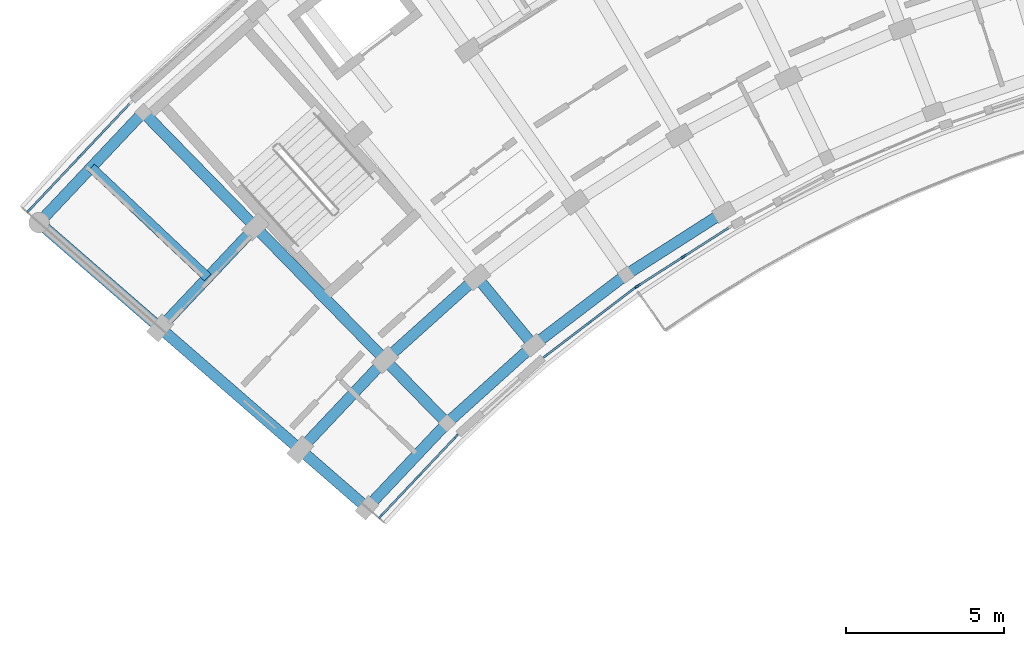
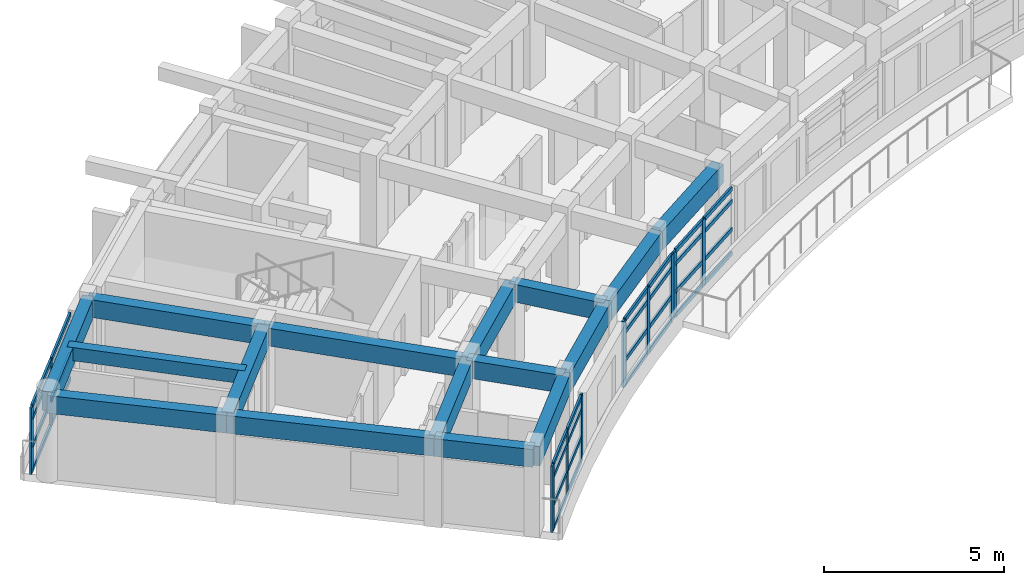
# One storey, part 3 of 54: 42 members, 16 beams, 4 elements without a shape of their own.
"""IFC4 building model written with IfcOpenShell, lengths in metres."""

from ifc_helpers import new_model, si_unit, direction, frame, origin, origin_2d, place, context, subcontext, project, spatial, rectangle, extrude, material, material_profile, profile_set, type_object, element, aggregate, save


model = new_model("IFC4")

# Units and contexts
model_context = context("Model", 3, precision=1e-05, world=origin(), true_north=direction((0.0, 1.0)))
body_context = subcontext(model_context, "Body", "Model", "MODEL_VIEW")
ifc_project = project(units=[si_unit("LENGTHUNIT", "METRE"), si_unit("AREAUNIT", "SQUARE_METRE"), si_unit("VOLUMEUNIT", "CUBIC_METRE"), si_unit("PLANEANGLEUNIT", "RADIAN"), si_unit("MASSUNIT", "GRAM", prefix="KILO")], contexts=[model_context])

# Site, building, storey
site_placement = place(None, origin())
site = spatial("IfcSite", under=ifc_project, at=site_placement, CompositionType="ELEMENT")
building_placement = place(site_placement, origin())
building = spatial("IfcBuilding", under=site, at=building_placement, Name="Zimvara Arc Housing Community", CompositionType="ELEMENT")
storey_placement = place(building_placement, frame((0.0, 0.0, 23.60009765625)))
storey = spatial("IfcBuildingStorey", under=building, at=storey_placement, Name="L07", CompositionType="ELEMENT", Elevation=23.60009765625)

# Beams
ifc_material_1 = material(Name="Concrete C40/50", Category="concrete")
ifc_material_profile_1 = material_profile(ifc_material_1, rectangle(XDim=0.300048828125, YDim=0.449951171875, at=origin_2d()), Name="RC 300x450")
ifc_profile_set_1 = profile_set([ifc_material_profile_1], Name="Concrete C40/50")
beam_type_1 = type_object("IfcBeamType", Name="BM-RC-300x450", PredefinedType="JOIST", material=ifc_profile_set_1)
beam_1_placement = place(storey_placement, frame((5.904296875, 81.3935546875, 2.635009765625), z_axis=(-0.727299876429, 0.686319815936, 0.0), x_axis=(-0.686319815936, -0.727299876429, 0.0)))
element("IfcBeam", 1, at=beam_1_placement, inside=storey, type_object=beam_type_1, Name="bm:blkA:L07:joist:b0", PredefinedType="JOIST", context=body_context, shape_type="SweptSolid", body=[
    extrude(rectangle(XDim=0.300048828125, YDim=0.449951171875, at=origin_2d()), origin(), (0.0, 0.0, 1.0), 5.075927734375),
])
ifc_material_2 = material(Name="Concrete C40/50", Category="concrete")
ifc_material_profile_2 = material_profile(ifc_material_2, rectangle(XDim=0.35009765625, YDim=0.60009765625, at=origin_2d()), Name="RC 350x600")
ifc_profile_set_2 = profile_set([ifc_material_profile_2], Name="Concrete C40/50")
beam_type_2 = type_object("IfcBeamType", Name="BM-RC-350x600", PredefinedType="BEAM", material=ifc_profile_set_2)
beam_2_placement = place(storey_placement, frame((10.947509765625, 74.101318359375, 2.559814453125), z_axis=(-0.754733151583, 0.656031912259, 0.0), x_axis=(-0.656031912259, -0.754733151583, 0.0)))
element("IfcBeam", 2, at=beam_2_placement, inside=storey, type_object=beam_type_2, Name="bm:blkA:L07:rad:b0:r01", PredefinedType="BEAM", context=body_context, shape_type="SweptSolid", body=[
    extrude(rectangle(XDim=0.35009765625, YDim=0.60009765625, at=origin_2d()), origin(), (0.0, 0.0, 1.0), 2.800048828125),
])
beam_3_placement = place(storey_placement, frame((8.834228515625, 75.938232421875, 2.559814453125), z_axis=(-0.754692223258, 0.656078995362, 0.0), x_axis=(-0.656078995362, -0.754692223258, 0.0)))
element("IfcBeam", 3, at=beam_3_placement, inside=storey, type_object=beam_type_2, Name="bm:blkA:L07:rad:b0:r12", PredefinedType="BEAM", context=body_context, shape_type="SweptSolid", body=[
    extrude(rectangle(XDim=0.35009765625, YDim=0.60009765625, at=origin_2d()), origin(), (0.0, 0.0, 1.0), 5.8798828125),
])
beam_4_placement = place(storey_placement, frame((4.396728515625, 79.7958984375, 2.559814453125), z_axis=(-0.754716217499, 0.656051393599, 0.0), x_axis=(-0.656051393599, -0.754716217499, 0.0)))
element("IfcBeam", 4, at=beam_4_placement, inside=storey, type_object=beam_type_2, Name="bm:blkA:L07:rad:b0:r23", PredefinedType="BEAM", context=body_context, shape_type="SweptSolid", body=[
    extrude(rectangle(XDim=0.35009765625, YDim=0.60009765625, at=origin_2d()), origin(), (0.0, 0.0, 1.0), 5.080078125),
])
beam_5_placement = place(storey_placement, frame((13.476318359375, 76.781005859375, 2.559814453125), z_axis=(-0.698643013894, 0.71547043205, 0.0), x_axis=(-0.71547043205, -0.698643013894, 0.0)))
element("IfcBeam", 5, at=beam_5_placement, inside=storey, type_object=beam_type_2, Name="bm:blkA:L07:rad:b1:r01", PredefinedType="BEAM", context=body_context, shape_type="SweptSolid", body=[
    extrude(rectangle(XDim=0.35009765625, YDim=0.60009765625, at=origin_2d()), origin(), (0.0, 0.0, 1.0), 2.800048828125),
])
beam_6_placement = place(storey_placement, frame((11.52001953125, 78.784423828125, 2.559814453125), z_axis=(-0.698669844288, 0.715444231707, 0.0), x_axis=(-0.715444231707, -0.698669844288, 0.0)))
element("IfcBeam", 6, at=beam_6_placement, inside=storey, type_object=beam_type_2, Name="bm:blkA:L07:rad:b1:r12", PredefinedType="BEAM", context=body_context, shape_type="SweptSolid", body=[
    extrude(rectangle(XDim=0.35009765625, YDim=0.60009765625, at=origin_2d()), origin(), (0.0, 0.0, 1.0), 5.8798828125),
])
beam_7_placement = place(storey_placement, frame((7.411865234375, 82.9912109375, 2.559814453125), z_axis=(-0.698670885014, 0.71544321538, 0.0), x_axis=(-0.71544321538, -0.698670885014, 0.0)))
element("IfcBeam", 7, at=beam_7_placement, inside=storey, type_object=beam_type_2, Name="bm:blkA:L07:rad:b1:r23", PredefinedType="BEAM", context=body_context, shape_type="SweptSolid", body=[
    extrude(rectangle(XDim=0.35009765625, YDim=0.60009765625, at=origin_2d()), origin(), (0.0, 0.0, 1.0), 5.080078125),
])
beam_8_placement = place(storey_placement, frame((16.215087890625, 79.245361328125, 2.559814453125), z_axis=(-0.637917412223, 0.770104781951, 0.0), x_axis=(-0.770104781951, -0.637917412223, 0.0)))
element("IfcBeam", 8, at=beam_8_placement, inside=storey, type_object=beam_type_2, Name="bm:blkA:L07:rad:b2:r01", PredefinedType="BEAM", context=body_context, shape_type="SweptSolid", body=[
    extrude(rectangle(XDim=0.35009765625, YDim=0.60009765625, at=origin_2d()), origin(), (0.0, 0.0, 1.0), 2.800048828125),
])
ifc_material_3 = material(Name="Concrete C40/50", Category="concrete")
ifc_material_profile_3 = material_profile(ifc_material_3, rectangle(XDim=0.35009765625, YDim=0.64990234375, at=origin_2d()), Name="RC 350x650")
ifc_profile_set_3 = profile_set([ifc_material_profile_3], Name="Concrete C40/50")
beam_type_3 = type_object("IfcBeamType", Name="BM-RC-350x650", PredefinedType="BEAM", material=ifc_profile_set_3)
beam_9_placement = place(storey_placement, frame((10.947509765625, 74.101318359375, 2.534912109375), z_axis=(0.686335517678, 0.727285059088, 0.0), x_axis=(-0.727285059088, 0.686335517678, 0.0)))
element("IfcBeam", 9, at=beam_9_placement, inside=storey, type_object=beam_type_3, Name="bm:blkA:L07:chord:r0:b0", PredefinedType="BEAM", context=body_context, shape_type="SweptSolid", body=[
    extrude(rectangle(XDim=0.35009765625, YDim=0.64990234375, at=origin_2d()), origin(), (0.0, 0.0, 1.0), 3.6845703125),
])
beam_10_placement = place(storey_placement, frame((13.476318359375, 76.781005859375, 2.534912109375), z_axis=(0.743366631239, 0.668884183966, 0.0), x_axis=(-0.668884183966, 0.743366631239, 0.0)))
element("IfcBeam", 10, at=beam_10_placement, inside=storey, type_object=beam_type_3, Name="bm:blkA:L07:chord:r0:b1", PredefinedType="BEAM", context=body_context, shape_type="SweptSolid", body=[
    extrude(rectangle(XDim=0.35009765625, YDim=0.64990234375, at=origin_2d()), origin(), (0.0, 0.0, 1.0), 3.684326171875),
])
beam_11_placement = place(storey_placement, frame((16.215087890625, 79.245361328125, 2.534912109375), z_axis=(0.795453014049, 0.606015265847, 0.0), x_axis=(-0.606015265847, 0.795453014049, 0.0)))
element("IfcBeam", 11, at=beam_11_placement, inside=storey, type_object=beam_type_3, Name="bm:blkA:L07:chord:r0:b2", PredefinedType="BEAM", context=body_context, shape_type="SweptSolid", body=[
    extrude(rectangle(XDim=0.35009765625, YDim=0.64990234375, at=origin_2d()), origin(), (0.0, 0.0, 1.0), 3.6845703125),
])
beam_12_placement = place(storey_placement, frame((19.14599609375, 81.478271484375, 2.534912109375), z_axis=(0.842272604079, 0.539051816079, 0.0), x_axis=(-0.539051816079, 0.842272604079, 0.0)))
element("IfcBeam", 12, at=beam_12_placement, inside=storey, type_object=beam_type_3, Name="bm:blkA:L07:chord:r0:b3", PredefinedType="BEAM", context=body_context, shape_type="SweptSolid", body=[
    extrude(rectangle(XDim=0.35009765625, YDim=0.64990234375, at=origin_2d()), origin(), (0.0, 0.0, 1.0), 3.684326171875),
])
beam_13_placement = place(storey_placement, frame((8.834228515625, 75.938232421875, 2.534912109375), z_axis=(0.686315710793, 0.727303750243, 0.0), x_axis=(-0.727303750243, 0.686315710793, 0.0)))
element("IfcBeam", 13, at=beam_13_placement, inside=storey, type_object=beam_type_3, Name="bm:blkA:L07:chord:r1:b0", PredefinedType="BEAM", context=body_context, shape_type="SweptSolid", body=[
    extrude(rectangle(XDim=0.35009765625, YDim=0.64990234375, at=origin_2d()), origin(), (0.0, 0.0, 1.0), 3.913330078125),
])
beam_14_placement = place(storey_placement, frame((11.52001953125, 78.784423828125, 2.534912109375), z_axis=(0.743402719516, 0.668844074965, 0.0), x_axis=(-0.668844074965, 0.743402719516, 0.0)))
element("IfcBeam", 14, at=beam_14_placement, inside=storey, type_object=beam_type_3, Name="bm:blkA:L07:chord:r1:b1", PredefinedType="BEAM", context=body_context, shape_type="SweptSolid", body=[
    extrude(rectangle(XDim=0.35009765625, YDim=0.64990234375, at=origin_2d()), origin(), (0.0, 0.0, 1.0), 3.9130859375),
])
beam_15_placement = place(storey_placement, frame((4.396728515625, 79.7958984375, 2.534912109375), z_axis=(0.686303637813, 0.727315142648, 0.0), x_axis=(-0.727315142648, 0.686303637813, 0.0)))
element("IfcBeam", 15, at=beam_15_placement, inside=storey, type_object=beam_type_3, Name="bm:blkA:L07:chord:r2:b0", PredefinedType="BEAM", context=body_context, shape_type="SweptSolid", body=[
    extrude(rectangle(XDim=0.35009765625, YDim=0.64990234375, at=origin_2d()), origin(), (0.0, 0.0, 1.0), 4.393310546875),
])
beam_16_placement = place(storey_placement, frame((0.562744140625, 83.128662109375, 2.534912109375), z_axis=(0.6862954451, 0.727322873307, 0.0), x_axis=(-0.727322873307, 0.6862954451, 0.0)))
element("IfcBeam", 16, at=beam_16_placement, inside=storey, type_object=beam_type_3, Name="bm:blkA:L07:chord:r3:b0", PredefinedType="BEAM", context=body_context, shape_type="SweptSolid", body=[
    extrude(rectangle(XDim=0.35009765625, YDim=0.64990234375, at=origin_2d()), origin(), (0.0, 0.0, 1.0), 4.80810546875),
])

# Curtain wall, members
ifc_material_4 = material(Name="Anodised Aluminium AW-6063", Category="aluminium")
curtain_wall_type_1 = type_object("IfcCurtainWallType", Name="CW-SYS-08", PredefinedType="USERDEFINED", material=ifc_material_4)
curtain_wall_1_placement = place(storey_placement, origin())
curtain_wall_1 = element("IfcCurtainWall", 17, at=curtain_wall_1_placement, inside=storey, type_object=curtain_wall_type_1, Name="cw:blkA:L07:in:b0", ObjectType="CURTAIN WALL", PredefinedType="USERDEFINED")
ifc_material_5 = material(Name="Anodised Aluminium AW-6063", Category="aluminium")
ifc_material_profile_4 = material_profile(ifc_material_5, rectangle(XDim=0.06494140625, YDim=0.179931640625, at=origin_2d()), Name="ALU 65x180")
ifc_profile_set_4 = profile_set([ifc_material_profile_4], Name="Anodised Aluminium AW-6063")
member_type_1 = type_object("IfcMemberType", Name="CWM-65x150", PredefinedType="MULLION", material=ifc_profile_set_4)
member_1_placement = place(storey_placement, frame((11.388427734375, 73.840576171875, 0.0), z_axis=(0.0, 0.0, 1.0), x_axis=(-0.727293280483, 0.686326805658, 0.0)))
member_1 = element("IfcMember", 18, at=member_1_placement, type_object=member_type_1, Name="CW08 mullion 1", PredefinedType="MULLION", context=body_context, shape_type="SweptSolid", body=[
    extrude(rectangle(XDim=0.06494140625, YDim=0.179931640625, at=origin_2d()), origin(), (0.0, 0.0, 1.0), 2.25),
])
member_2_placement = place(storey_placement, frame((12.5751953125, 75.098388671875, 0.0), z_axis=(0.0, 0.0, 1.0), x_axis=(-0.727293280483, 0.686326805658, 0.0)))
member_2 = element("IfcMember", 19, at=member_2_placement, type_object=member_type_1, Name="CW08 mullion 2", PredefinedType="MULLION", context=body_context, shape_type="SweptSolid", body=[
    extrude(rectangle(XDim=0.06494140625, YDim=0.179931640625, at=origin_2d()), origin(), (0.0, 0.0, 1.0), 2.25),
])
member_3_placement = place(storey_placement, frame((13.761962890625, 76.35595703125, 0.0), z_axis=(0.0, 0.0, 1.0), x_axis=(-0.727293280483, 0.686326805658, 0.0)))
member_3 = element("IfcMember", 20, at=member_3_placement, type_object=member_type_1, Name="CW08 mullion 3", PredefinedType="MULLION", context=body_context, shape_type="SweptSolid", body=[
    extrude(rectangle(XDim=0.06494140625, YDim=0.179931640625, at=origin_2d()), origin(), (0.0, 0.0, 1.0), 2.25),
])

ifc_material_6 = material(Name="Anodised Aluminium AW-6063", Category="aluminium")
curtain_wall_type_2 = type_object("IfcCurtainWallType", Name="CW-SYS-02", PredefinedType="USERDEFINED", material=ifc_material_6)
curtain_wall_2_placement = place(storey_placement, origin())
curtain_wall_2 = element("IfcCurtainWall", 21, at=curtain_wall_2_placement, inside=storey, type_object=curtain_wall_type_2, Name="cw:blkA:L07:in:b2", ObjectType="CURTAIN WALL", PredefinedType="USERDEFINED")
member_4_placement = place(storey_placement, frame((16.607666015625, 78.91650390625, 0.0), z_axis=(0.0, 0.0, 1.0), x_axis=(-0.605988318533, 0.795473543119, 0.0)))
member_4 = element("IfcMember", 22, at=member_4_placement, type_object=member_type_1, Name="CW02 mullion 1", PredefinedType="MULLION", context=body_context, shape_type="SweptSolid", body=[
    extrude(rectangle(XDim=0.06494140625, YDim=0.179931640625, at=origin_2d()), origin(), (0.0, 0.0, 1.0), 2.25),
])
member_5_placement = place(storey_placement, frame((17.9833984375, 79.96435546875, 0.0), z_axis=(0.0, 0.0, 1.0), x_axis=(-0.605988318533, 0.795473543119, 0.0)))
member_5 = element("IfcMember", 23, at=member_5_placement, type_object=member_type_1, Name="CW02 mullion 2", PredefinedType="MULLION", context=body_context, shape_type="SweptSolid", body=[
    extrude(rectangle(XDim=0.06494140625, YDim=0.179931640625, at=origin_2d()), origin(), (0.0, 0.0, 1.0), 2.25),
])
member_6_placement = place(storey_placement, frame((19.35888671875, 81.012451171875, 0.0), z_axis=(0.0, 0.0, 1.0), x_axis=(-0.605988318533, 0.795473543119, 0.0)))
member_6 = element("IfcMember", 24, at=member_6_placement, type_object=member_type_1, Name="CW02 mullion 3", PredefinedType="MULLION", context=body_context, shape_type="SweptSolid", body=[
    extrude(rectangle(XDim=0.06494140625, YDim=0.179931640625, at=origin_2d()), origin(), (0.0, 0.0, 1.0), 2.25),
])

ifc_material_7 = material(Name="Anodised Aluminium AW-6063", Category="aluminium")
curtain_wall_type_3 = type_object("IfcCurtainWallType", Name="CW-SYS-04", PredefinedType="USERDEFINED", material=ifc_material_7)
curtain_wall_3_placement = place(storey_placement, origin())
curtain_wall_3 = element("IfcCurtainWall", 25, at=curtain_wall_3_placement, inside=storey, type_object=curtain_wall_type_3, Name="cw:blkA:L07:in:b3", ObjectType="CURTAIN WALL", PredefinedType="USERDEFINED")
member_7_placement = place(storey_placement, frame((19.510498046875, 81.118408203125, 0.0), z_axis=(0.0, 0.0, 1.0), x_axis=(-0.539064085203, 0.842264751752, 0.0)))
member_7 = element("IfcMember", 26, at=member_7_placement, type_object=member_type_1, Name="CW04 mullion 1", PredefinedType="MULLION", context=body_context, shape_type="SweptSolid", body=[
    extrude(rectangle(XDim=0.06494140625, YDim=0.179931640625, at=origin_2d()), origin(), (0.0, 0.0, 1.0), 2.25),
])
member_8_placement = place(storey_placement, frame((20.967041015625, 82.050537109375, 0.0), z_axis=(0.0, 0.0, 1.0), x_axis=(-0.539064085203, 0.842264751752, 0.0)))
member_8 = element("IfcMember", 27, at=member_8_placement, type_object=member_type_1, Name="CW04 mullion 2", PredefinedType="MULLION", context=body_context, shape_type="SweptSolid", body=[
    extrude(rectangle(XDim=0.06494140625, YDim=0.179931640625, at=origin_2d()), origin(), (0.0, 0.0, 1.0), 2.25),
])

ifc_material_8 = material(Name="Anodised Aluminium AW-6063", Category="aluminium")
curtain_wall_type_4 = type_object("IfcCurtainWallType", Name="CW-SYS-07", PredefinedType="USERDEFINED", material=ifc_material_8)
curtain_wall_4_placement = place(storey_placement, origin())
curtain_wall_4 = element("IfcCurtainWall", 28, at=curtain_wall_4_placement, inside=storey, type_object=curtain_wall_type_4, Name="cw:blkA:L07:out:b0", ObjectType="CURTAIN WALL", PredefinedType="USERDEFINED")
ifc_material_9 = material(Name="Anodised Aluminium AW-6063", Category="aluminium")
ifc_material_profile_5 = material_profile(ifc_material_9, rectangle(XDim=0.06494140625, YDim=0.195068359375, at=origin_2d()), Name="ALU 65x195")
ifc_profile_set_5 = profile_set([ifc_material_profile_5], Name="Anodised Aluminium AW-6063")
member_type_2 = type_object("IfcMemberType", Name="CWM-65x180", PredefinedType="MULLION", material=ifc_profile_set_5)
member_9_placement = place(storey_placement, frame((0.248779296875, 83.524169921875, 0.0), z_axis=(0.0, 0.0, 1.0), x_axis=(-0.727293647725, 0.686326416495, 0.0)))
member_9 = element("IfcMember", 29, at=member_9_placement, type_object=member_type_2, Name="CW07 mullion 1", PredefinedType="MULLION", context=body_context, shape_type="SweptSolid", body=[
    extrude(rectangle(XDim=0.06494140625, YDim=0.195068359375, at=origin_2d()), origin(), (0.0, 0.0, 1.0), 2.25),
])
member_10_placement = place(storey_placement, frame((1.849365234375, 85.219970703125, 0.0), z_axis=(0.0, 0.0, 1.0), x_axis=(-0.727293647725, 0.686326416495, 0.0)))
member_10 = element("IfcMember", 30, at=member_10_placement, type_object=member_type_2, Name="CW07 mullion 2", PredefinedType="MULLION", context=body_context, shape_type="SweptSolid", body=[
    extrude(rectangle(XDim=0.06494140625, YDim=0.195068359375, at=origin_2d()), origin(), (0.0, 0.0, 1.0), 2.25),
])

# Member
ifc_material_10 = material(Name="Anodised Aluminium AW-6063", Category="aluminium")
ifc_material_profile_6 = material_profile(ifc_material_10, rectangle(XDim=0.06494140625, YDim=0.139892578125, at=origin_2d()), Name="ALU 65x140")
ifc_profile_set_6 = profile_set([ifc_material_profile_6], Name="Anodised Aluminium AW-6063")
member_type_3 = type_object("IfcMemberType", Name="CWT-65x120", PredefinedType="USERDEFINED", material=ifc_profile_set_6)
member_11_placement = place(storey_placement, frame((11.41064453125, 73.8642578125, 0.032470703125), z_axis=(0.686347817597, 0.727273451516, 0.0), x_axis=(-0.727273451516, 0.686347817597, 0.0)))
member_11 = element("IfcMember", 31, at=member_11_placement, type_object=member_type_3, Name="CW08 transom 1.1", ObjectType="TRANSOM", PredefinedType="USERDEFINED", context=body_context, shape_type="SweptSolid", body=[
    extrude(rectangle(XDim=0.06494140625, YDim=0.139892578125, at=origin_2d()), origin(), (0.0, 0.0, 1.0), 1.664306640625),
])

member_12_placement = place(storey_placement, frame((11.41064453125, 73.8642578125, 0.849853515625), z_axis=(0.686347817597, 0.727273451516, 0.0), x_axis=(-0.727273451516, 0.686347817597, 0.0)))
member_12 = element("IfcMember", 32, at=member_12_placement, type_object=member_type_3, Name="CW08 transom 1.2", ObjectType="TRANSOM", PredefinedType="USERDEFINED", context=body_context, shape_type="SweptSolid", body=[
    extrude(rectangle(XDim=0.06494140625, YDim=0.139892578125, at=origin_2d()), origin(), (0.0, 0.0, 1.0), 1.664306640625),
])

member_13_placement = place(storey_placement, frame((11.41064453125, 73.8642578125, 1.7998046875), z_axis=(0.686347817597, 0.727273451516, 0.0), x_axis=(-0.727273451516, 0.686347817597, 0.0)))
member_13 = element("IfcMember", 33, at=member_13_placement, type_object=member_type_3, Name="CW08 transom 1.3", ObjectType="TRANSOM", PredefinedType="USERDEFINED", context=body_context, shape_type="SweptSolid", body=[
    extrude(rectangle(XDim=0.06494140625, YDim=0.139892578125, at=origin_2d()), origin(), (0.0, 0.0, 1.0), 1.664306640625),
])

member_14_placement = place(storey_placement, frame((11.41064453125, 73.8642578125, 2.21728515625), z_axis=(0.686347817597, 0.727273451516, 0.0), x_axis=(-0.727273451516, 0.686347817597, 0.0)))
member_14 = element("IfcMember", 34, at=member_14_placement, type_object=member_type_3, Name="CW08 transom 1.4", ObjectType="TRANSOM", PredefinedType="USERDEFINED", context=body_context, shape_type="SweptSolid", body=[
    extrude(rectangle(XDim=0.06494140625, YDim=0.139892578125, at=origin_2d()), origin(), (0.0, 0.0, 1.0), 1.664306640625),
])

member_15_placement = place(storey_placement, frame((12.597412109375, 75.1220703125, 0.032470703125), z_axis=(0.686347817597, 0.727273451516, 0.0), x_axis=(-0.727273451516, 0.686347817597, 0.0)))
member_15 = element("IfcMember", 35, at=member_15_placement, type_object=member_type_3, Name="CW08 transom 2.1", ObjectType="TRANSOM", PredefinedType="USERDEFINED", context=body_context, shape_type="SweptSolid", body=[
    extrude(rectangle(XDim=0.06494140625, YDim=0.139892578125, at=origin_2d()), origin(), (0.0, 0.0, 1.0), 1.664306640625),
])

member_16_placement = place(storey_placement, frame((12.597412109375, 75.1220703125, 0.849853515625), z_axis=(0.686347817597, 0.727273451516, 0.0), x_axis=(-0.727273451516, 0.686347817597, 0.0)))
member_16 = element("IfcMember", 36, at=member_16_placement, type_object=member_type_3, Name="CW08 transom 2.2", ObjectType="TRANSOM", PredefinedType="USERDEFINED", context=body_context, shape_type="SweptSolid", body=[
    extrude(rectangle(XDim=0.06494140625, YDim=0.139892578125, at=origin_2d()), origin(), (0.0, 0.0, 1.0), 1.664306640625),
])

member_17_placement = place(storey_placement, frame((12.597412109375, 75.1220703125, 1.7998046875), z_axis=(0.686347817597, 0.727273451516, 0.0), x_axis=(-0.727273451516, 0.686347817597, 0.0)))
member_17 = element("IfcMember", 37, at=member_17_placement, type_object=member_type_3, Name="CW08 transom 2.3", ObjectType="TRANSOM", PredefinedType="USERDEFINED", context=body_context, shape_type="SweptSolid", body=[
    extrude(rectangle(XDim=0.06494140625, YDim=0.139892578125, at=origin_2d()), origin(), (0.0, 0.0, 1.0), 1.664306640625),
])

member_18_placement = place(storey_placement, frame((12.597412109375, 75.1220703125, 2.21728515625), z_axis=(0.686347817597, 0.727273451516, 0.0), x_axis=(-0.727273451516, 0.686347817597, 0.0)))
member_18 = element("IfcMember", 38, at=member_18_placement, type_object=member_type_3, Name="CW08 transom 2.4", ObjectType="TRANSOM", PredefinedType="USERDEFINED", context=body_context, shape_type="SweptSolid", body=[
    extrude(rectangle(XDim=0.06494140625, YDim=0.139892578125, at=origin_2d()), origin(), (0.0, 0.0, 1.0), 1.664306640625),
])

aggregate(curtain_wall_1, [member_1, member_2, member_3, member_11, member_12, member_13, member_14, member_15, member_16, member_17, member_18])

member_19_placement = place(storey_placement, frame((16.633544921875, 78.936279296875, 0.032470703125), z_axis=(0.795488960577, 0.605968079687, 0.0), x_axis=(-0.605968079687, 0.795488960577, 0.0)))
member_19 = element("IfcMember", 39, at=member_19_placement, type_object=member_type_3, Name="CW02 transom 1.1", ObjectType="TRANSOM", PredefinedType="USERDEFINED", context=body_context, shape_type="SweptSolid", body=[
    extrude(rectangle(XDim=0.06494140625, YDim=0.139892578125, at=origin_2d()), origin(), (0.0, 0.0, 1.0), 1.664306640625),
])

member_20_placement = place(storey_placement, frame((16.633544921875, 78.936279296875, 0.849853515625), z_axis=(0.795488960577, 0.605968079687, 0.0), x_axis=(-0.605968079687, 0.795488960577, 0.0)))
member_20 = element("IfcMember", 40, at=member_20_placement, type_object=member_type_3, Name="CW02 transom 1.2", ObjectType="TRANSOM", PredefinedType="USERDEFINED", context=body_context, shape_type="SweptSolid", body=[
    extrude(rectangle(XDim=0.06494140625, YDim=0.139892578125, at=origin_2d()), origin(), (0.0, 0.0, 1.0), 1.664306640625),
])

member_21_placement = place(storey_placement, frame((16.633544921875, 78.936279296875, 1.7998046875), z_axis=(0.795488960577, 0.605968079687, 0.0), x_axis=(-0.605968079687, 0.795488960577, 0.0)))
member_21 = element("IfcMember", 41, at=member_21_placement, type_object=member_type_3, Name="CW02 transom 1.3", ObjectType="TRANSOM", PredefinedType="USERDEFINED", context=body_context, shape_type="SweptSolid", body=[
    extrude(rectangle(XDim=0.06494140625, YDim=0.139892578125, at=origin_2d()), origin(), (0.0, 0.0, 1.0), 1.664306640625),
])

member_22_placement = place(storey_placement, frame((16.633544921875, 78.936279296875, 2.21728515625), z_axis=(0.795488960577, 0.605968079687, 0.0), x_axis=(-0.605968079687, 0.795488960577, 0.0)))
member_22 = element("IfcMember", 42, at=member_22_placement, type_object=member_type_3, Name="CW02 transom 1.4", ObjectType="TRANSOM", PredefinedType="USERDEFINED", context=body_context, shape_type="SweptSolid", body=[
    extrude(rectangle(XDim=0.06494140625, YDim=0.139892578125, at=origin_2d()), origin(), (0.0, 0.0, 1.0), 1.664306640625),
])

member_23_placement = place(storey_placement, frame((18.00927734375, 79.984130859375, 0.032470703125), z_axis=(0.795435087713, 0.606038795157, 0.0), x_axis=(-0.606038795157, 0.795435087713, 0.0)))
member_23 = element("IfcMember", 43, at=member_23_placement, type_object=member_type_3, Name="CW02 transom 2.1", ObjectType="TRANSOM", PredefinedType="USERDEFINED", context=body_context, shape_type="SweptSolid", body=[
    extrude(rectangle(XDim=0.06494140625, YDim=0.139892578125, at=origin_2d()), origin(), (0.0, 0.0, 1.0), 1.6640625),
])

member_24_placement = place(storey_placement, frame((18.00927734375, 79.984130859375, 0.849853515625), z_axis=(0.795435087713, 0.606038795157, 0.0), x_axis=(-0.606038795157, 0.795435087713, 0.0)))
member_24 = element("IfcMember", 44, at=member_24_placement, type_object=member_type_3, Name="CW02 transom 2.2", ObjectType="TRANSOM", PredefinedType="USERDEFINED", context=body_context, shape_type="SweptSolid", body=[
    extrude(rectangle(XDim=0.06494140625, YDim=0.139892578125, at=origin_2d()), origin(), (0.0, 0.0, 1.0), 1.6640625),
])

member_25_placement = place(storey_placement, frame((18.00927734375, 79.984130859375, 1.7998046875), z_axis=(0.795435087713, 0.606038795157, 0.0), x_axis=(-0.606038795157, 0.795435087713, 0.0)))
member_25 = element("IfcMember", 45, at=member_25_placement, type_object=member_type_3, Name="CW02 transom 2.3", ObjectType="TRANSOM", PredefinedType="USERDEFINED", context=body_context, shape_type="SweptSolid", body=[
    extrude(rectangle(XDim=0.06494140625, YDim=0.139892578125, at=origin_2d()), origin(), (0.0, 0.0, 1.0), 1.6640625),
])

member_26_placement = place(storey_placement, frame((18.00927734375, 79.984130859375, 2.21728515625), z_axis=(0.795435087713, 0.606038795157, 0.0), x_axis=(-0.606038795157, 0.795435087713, 0.0)))
member_26 = element("IfcMember", 46, at=member_26_placement, type_object=member_type_3, Name="CW02 transom 2.4", ObjectType="TRANSOM", PredefinedType="USERDEFINED", context=body_context, shape_type="SweptSolid", body=[
    extrude(rectangle(XDim=0.06494140625, YDim=0.139892578125, at=origin_2d()), origin(), (0.0, 0.0, 1.0), 1.6640625),
])

aggregate(curtain_wall_2, [member_4, member_5, member_6, member_19, member_20, member_21, member_22, member_23, member_24, member_25, member_26])

member_27_placement = place(storey_placement, frame((19.537841796875, 81.1357421875, 0.032470703125), z_axis=(0.842263408668, 0.539066183709, 0.0), x_axis=(-0.539066183709, 0.842263408668, 0.0)))
member_27 = element("IfcMember", 47, at=member_27_placement, type_object=member_type_3, Name="CW04 transom 1.1", ObjectType="TRANSOM", PredefinedType="USERDEFINED", context=body_context, shape_type="SweptSolid", body=[
    extrude(rectangle(XDim=0.06494140625, YDim=0.139892578125, at=origin_2d()), origin(), (0.0, 0.0, 1.0), 1.664306640625),
])

member_28_placement = place(storey_placement, frame((19.537841796875, 81.1357421875, 0.849853515625), z_axis=(0.842263408668, 0.539066183709, 0.0), x_axis=(-0.539066183709, 0.842263408668, 0.0)))
member_28 = element("IfcMember", 48, at=member_28_placement, type_object=member_type_3, Name="CW04 transom 1.2", ObjectType="TRANSOM", PredefinedType="USERDEFINED", context=body_context, shape_type="SweptSolid", body=[
    extrude(rectangle(XDim=0.06494140625, YDim=0.139892578125, at=origin_2d()), origin(), (0.0, 0.0, 1.0), 1.664306640625),
])

member_29_placement = place(storey_placement, frame((19.537841796875, 81.1357421875, 1.7998046875), z_axis=(0.842263408668, 0.539066183709, 0.0), x_axis=(-0.539066183709, 0.842263408668, 0.0)))
member_29 = element("IfcMember", 49, at=member_29_placement, type_object=member_type_3, Name="CW04 transom 1.3", ObjectType="TRANSOM", PredefinedType="USERDEFINED", context=body_context, shape_type="SweptSolid", body=[
    extrude(rectangle(XDim=0.06494140625, YDim=0.139892578125, at=origin_2d()), origin(), (0.0, 0.0, 1.0), 1.664306640625),
])

member_30_placement = place(storey_placement, frame((19.537841796875, 81.1357421875, 2.21728515625), z_axis=(0.842263408668, 0.539066183709, 0.0), x_axis=(-0.539066183709, 0.842263408668, 0.0)))
member_30 = element("IfcMember", 50, at=member_30_placement, type_object=member_type_3, Name="CW04 transom 1.4", ObjectType="TRANSOM", PredefinedType="USERDEFINED", context=body_context, shape_type="SweptSolid", body=[
    extrude(rectangle(XDim=0.06494140625, YDim=0.139892578125, at=origin_2d()), origin(), (0.0, 0.0, 1.0), 1.664306640625),
])

member_31_placement = place(storey_placement, frame((20.994384765625, 82.068115234375, 0.032470703125), z_axis=(0.842330007588, 0.538962112135, 0.0), x_axis=(-0.538962112135, 0.842330007588, 0.0)))
member_31 = element("IfcMember", 51, at=member_31_placement, type_object=member_type_3, Name="CW04 transom 2.1", ObjectType="TRANSOM", PredefinedType="USERDEFINED", context=body_context, shape_type="SweptSolid", body=[
    extrude(rectangle(XDim=0.06494140625, YDim=0.139892578125, at=origin_2d()), origin(), (0.0, 0.0, 1.0), 1.664306640625),
])

member_32_placement = place(storey_placement, frame((20.994384765625, 82.068115234375, 0.849853515625), z_axis=(0.842330007588, 0.538962112135, 0.0), x_axis=(-0.538962112135, 0.842330007588, 0.0)))
member_32 = element("IfcMember", 52, at=member_32_placement, type_object=member_type_3, Name="CW04 transom 2.2", ObjectType="TRANSOM", PredefinedType="USERDEFINED", context=body_context, shape_type="SweptSolid", body=[
    extrude(rectangle(XDim=0.06494140625, YDim=0.139892578125, at=origin_2d()), origin(), (0.0, 0.0, 1.0), 1.664306640625),
])

member_33_placement = place(storey_placement, frame((20.994384765625, 82.068115234375, 1.7998046875), z_axis=(0.842330007588, 0.538962112135, 0.0), x_axis=(-0.538962112135, 0.842330007588, 0.0)))
member_33 = element("IfcMember", 53, at=member_33_placement, type_object=member_type_3, Name="CW04 transom 2.3", ObjectType="TRANSOM", PredefinedType="USERDEFINED", context=body_context, shape_type="SweptSolid", body=[
    extrude(rectangle(XDim=0.06494140625, YDim=0.139892578125, at=origin_2d()), origin(), (0.0, 0.0, 1.0), 1.664306640625),
])

member_34_placement = place(storey_placement, frame((20.994384765625, 82.068115234375, 2.21728515625), z_axis=(0.842330007588, 0.538962112135, 0.0), x_axis=(-0.538962112135, 0.842330007588, 0.0)))
member_34 = element("IfcMember", 54, at=member_34_placement, type_object=member_type_3, Name="CW04 transom 2.4", ObjectType="TRANSOM", PredefinedType="USERDEFINED", context=body_context, shape_type="SweptSolid", body=[
    extrude(rectangle(XDim=0.06494140625, YDim=0.139892578125, at=origin_2d()), origin(), (0.0, 0.0, 1.0), 1.664306640625),
])

aggregate(curtain_wall_3, [member_7, member_8, member_27, member_28, member_29, member_30, member_31, member_32, member_33, member_34])

ifc_material_11 = material(Name="Anodised Aluminium AW-6063", Category="aluminium")
ifc_material_profile_7 = material_profile(ifc_material_11, rectangle(XDim=0.06494140625, YDim=0.155029296875, at=origin_2d()), Name="ALU 65x155")
ifc_profile_set_7 = profile_set([ifc_material_profile_7], Name="Anodised Aluminium AW-6063")
member_type_4 = type_object("IfcMemberType", Name="CWT-65x140", PredefinedType="USERDEFINED", material=ifc_profile_set_7)
member_35_placement = place(storey_placement, frame((0.271240234375, 83.547607421875, 0.032470703125), z_axis=(0.68623762882, 0.727377423894, 0.0), x_axis=(-0.727377423894, 0.68623762882, 0.0)))
member_35 = element("IfcMember", 55, at=member_35_placement, type_object=member_type_4, Name="CW07 transom 1.1", ObjectType="TRANSOM", PredefinedType="USERDEFINED", context=body_context, shape_type="SweptSolid", body=[
    extrude(rectangle(XDim=0.06494140625, YDim=0.155029296875, at=origin_2d()), origin(), (0.0, 0.0, 1.0), 2.266845703125),
])

member_36_placement = place(storey_placement, frame((0.271240234375, 83.547607421875, 0.849853515625), z_axis=(0.68623762882, 0.727377423894, 0.0), x_axis=(-0.727377423894, 0.68623762882, 0.0)))
member_36 = element("IfcMember", 56, at=member_36_placement, type_object=member_type_4, Name="CW07 transom 1.2", ObjectType="TRANSOM", PredefinedType="USERDEFINED", context=body_context, shape_type="SweptSolid", body=[
    extrude(rectangle(XDim=0.06494140625, YDim=0.155029296875, at=origin_2d()), origin(), (0.0, 0.0, 1.0), 2.266845703125),
])

member_37_placement = place(storey_placement, frame((0.271240234375, 83.547607421875, 1.7998046875), z_axis=(0.68623762882, 0.727377423894, 0.0), x_axis=(-0.727377423894, 0.68623762882, 0.0)))
member_37 = element("IfcMember", 57, at=member_37_placement, type_object=member_type_4, Name="CW07 transom 1.3", ObjectType="TRANSOM", PredefinedType="USERDEFINED", context=body_context, shape_type="SweptSolid", body=[
    extrude(rectangle(XDim=0.06494140625, YDim=0.155029296875, at=origin_2d()), origin(), (0.0, 0.0, 1.0), 2.266845703125),
])

member_38_placement = place(storey_placement, frame((0.271240234375, 83.547607421875, 2.21728515625), z_axis=(0.68623762882, 0.727377423894, 0.0), x_axis=(-0.727377423894, 0.68623762882, 0.0)))
member_38 = element("IfcMember", 58, at=member_38_placement, type_object=member_type_4, Name="CW07 transom 1.4", ObjectType="TRANSOM", PredefinedType="USERDEFINED", context=body_context, shape_type="SweptSolid", body=[
    extrude(rectangle(XDim=0.06494140625, YDim=0.155029296875, at=origin_2d()), origin(), (0.0, 0.0, 1.0), 2.266845703125),
])

member_39_placement = place(storey_placement, frame((1.87158203125, 85.24365234375, 0.032470703125), z_axis=(0.686348357589, 0.727272941911, 0.0), x_axis=(-0.727272941911, 0.686348357589, 0.0)))
member_39 = element("IfcMember", 59, at=member_39_placement, type_object=member_type_4, Name="CW07 transom 2.1", ObjectType="TRANSOM", PredefinedType="USERDEFINED", context=body_context, shape_type="SweptSolid", body=[
    extrude(rectangle(XDim=0.06494140625, YDim=0.155029296875, at=origin_2d()), origin(), (0.0, 0.0, 1.0), 2.266845703125),
])

member_40_placement = place(storey_placement, frame((1.87158203125, 85.24365234375, 0.849853515625), z_axis=(0.686348357589, 0.727272941911, 0.0), x_axis=(-0.727272941911, 0.686348357589, 0.0)))
member_40 = element("IfcMember", 60, at=member_40_placement, type_object=member_type_4, Name="CW07 transom 2.2", ObjectType="TRANSOM", PredefinedType="USERDEFINED", context=body_context, shape_type="SweptSolid", body=[
    extrude(rectangle(XDim=0.06494140625, YDim=0.155029296875, at=origin_2d()), origin(), (0.0, 0.0, 1.0), 2.266845703125),
])

member_41_placement = place(storey_placement, frame((1.87158203125, 85.24365234375, 1.7998046875), z_axis=(0.686348357589, 0.727272941911, 0.0), x_axis=(-0.727272941911, 0.686348357589, 0.0)))
member_41 = element("IfcMember", 61, at=member_41_placement, type_object=member_type_4, Name="CW07 transom 2.3", ObjectType="TRANSOM", PredefinedType="USERDEFINED", context=body_context, shape_type="SweptSolid", body=[
    extrude(rectangle(XDim=0.06494140625, YDim=0.155029296875, at=origin_2d()), origin(), (0.0, 0.0, 1.0), 2.266845703125),
])

member_42_placement = place(storey_placement, frame((1.87158203125, 85.24365234375, 2.21728515625), z_axis=(0.686348357589, 0.727272941911, 0.0), x_axis=(-0.727272941911, 0.686348357589, 0.0)))
member_42 = element("IfcMember", 62, at=member_42_placement, type_object=member_type_4, Name="CW07 transom 2.4", ObjectType="TRANSOM", PredefinedType="USERDEFINED", context=body_context, shape_type="SweptSolid", body=[
    extrude(rectangle(XDim=0.06494140625, YDim=0.155029296875, at=origin_2d()), origin(), (0.0, 0.0, 1.0), 2.266845703125),
])

aggregate(curtain_wall_4, [member_9, member_10, member_35, member_36, member_37, member_38, member_39, member_40, member_41, member_42])

save(model, "model.ifc")
